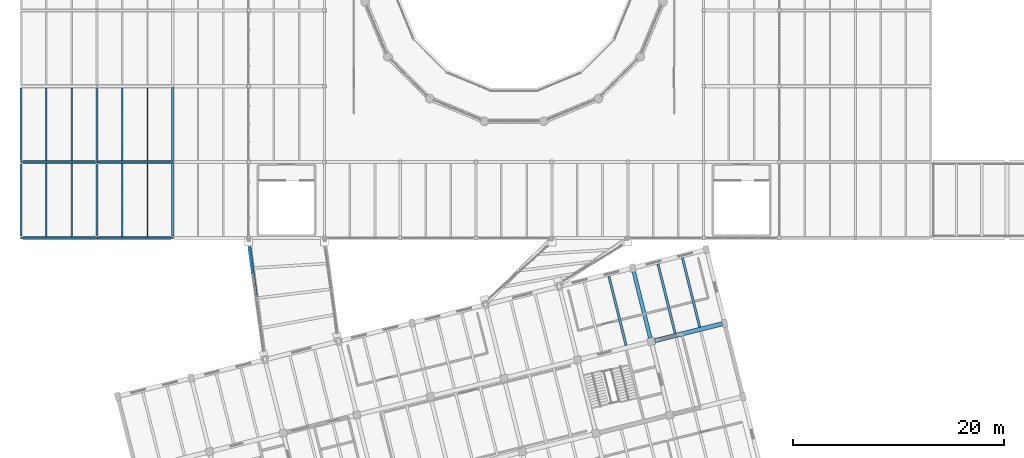
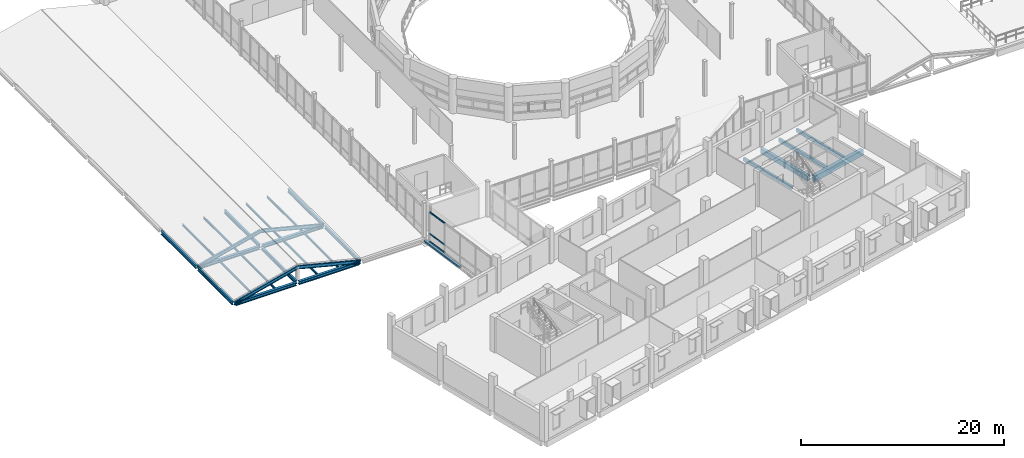
# One storey, part 15 of 63: 23 beams, 8 members, 1 element without a shape of its own.
"""IFC4 building model written with IfcOpenShell, lengths in metres."""

from ifc_helpers import new_model, si_unit, direction, frame, origin, origin_2d, place, context, subcontext, project, spatial, rectangle, hollow_rectangle, i_section, extrude, material, material_profile, profile_set, type_object, element, aggregate, save


model = new_model("IFC4")

# Units and contexts
model_context = context("Model", 3, precision=1e-05, world=origin(), true_north=direction((0.0, 1.0)))
body_context = subcontext(model_context, "Body", "Model", "MODEL_VIEW")
ifc_project = project(units=[si_unit("LENGTHUNIT", "METRE"), si_unit("AREAUNIT", "SQUARE_METRE"), si_unit("VOLUMEUNIT", "CUBIC_METRE"), si_unit("PLANEANGLEUNIT", "RADIAN"), si_unit("MASSUNIT", "GRAM", prefix="KILO")], contexts=[model_context])

# Site, building, storey
site_placement = place(None, origin())
site = spatial("IfcSite", under=ifc_project, at=site_placement, CompositionType="ELEMENT")
building_placement = place(site_placement, origin())
building = spatial("IfcBuilding", under=site, at=building_placement, Name="Qiaolan Assembly House", CompositionType="ELEMENT")
storey_placement = place(building_placement, frame((0.0, 0.0, 14.39990234375)))
storey = spatial("IfcBuildingStorey", under=building, at=storey_placement, Name="L03", CompositionType="ELEMENT", Elevation=14.39990234375)

# Beams
ifc_material_1 = material(Name="Concrete C40/50", Category="concrete")
ifc_material_profile_1 = material_profile(ifc_material_1, rectangle(XDim=0.35009765625, YDim=0.60009765625, at=origin_2d()), Name="RCB 350x600")
ifc_profile_set_1 = profile_set([ifc_material_profile_1], Name="Concrete C40/50")
beam_type_1 = type_object("IfcBeamType", Name="BM-RC-350x600", PredefinedType="BEAM", material=ifc_profile_set_1)
beam_1_placement = place(storey_placement, frame((81.3369140625, 26.4951171875, -0.514892578125), z_axis=(-0.241928153868, 0.970294165893, 0.0), x_axis=(-0.970294165893, -0.241928153868, 0.0)))
element("IfcBeam", 1, at=beam_1_placement, inside=storey, type_object=beam_type_1, Name="GB-08 beam BMV-SE-L03-07-02", PredefinedType="BEAM", context=body_context, shape_type="SweptSolid", body=[
    extrude(rectangle(XDim=0.35009765625, YDim=0.60009765625, at=origin_2d()), origin(), (0.0, 0.0, 1.0), 6.619873046875),
])
ifc_material_profile_2 = material_profile(ifc_material_1, rectangle(XDim=0.419921875, YDim=0.679931640625, at=origin_2d()), Name="RCB 420x680")
ifc_profile_set_2 = profile_set([ifc_material_profile_2], Name="Concrete C40/50")
beam_type_2 = type_object("IfcBeamType", Name="BM-RC-420x680", PredefinedType="BEAM", material=ifc_profile_set_2)
beam_2_placement = place(storey_placement, frame((81.7490234375, 26.247314453125, -0.554931640625), z_axis=(0.970296324294, 0.241919497068, 0.0), x_axis=(-0.241919497068, 0.970296324294, 0.0)))
element("IfcBeam", 2, at=beam_2_placement, inside=storey, type_object=beam_type_2, Name="GB-12 beam BMU-SE-L03-07-02", PredefinedType="BEAM", context=body_context, shape_type="SweptSolid", body=[
    extrude(rectangle(XDim=0.419921875, YDim=0.679931640625, at=origin_2d()), origin(), (0.0, 0.0, 1.0), 6.6201171875),
])
ifc_material_2 = material(Name="Steel Q355B", Category="steel")
ifc_material_profile_3 = material_profile(ifc_material_2, i_section(OverallWidth=0.300048828125, OverallDepth=0.389892578125, WebThickness=0.010009765625, FlangeThickness=0.01611328125, FilletRadius=0.01806640625, at=origin_2d()), Name="HM 390x300x10x16")
ifc_profile_set_3 = profile_set([ifc_material_profile_3], Name="Steel Q355B")
beam_type_3 = type_object("IfcBeamType", Name="BM-STL-HM390", PredefinedType="BEAM", material=ifc_profile_set_3)
for number, where, z_axis, x_axis, name in (
    (3, (21.764892578125, 36.0, -0.494873046875), (1.0, 0.0, 0.0), (0.0, 1.0, 0.0), "SB-08 beam BMX-HLWTR-L03-00-00"),
    (4, (28.93994140625, 36.0, -0.494873046875), (1.0, 0.0, 0.0), (0.0, 1.0, 0.0), "SB-08 beam BMX-HLWTR-L03-01-00"),
    (5, (21.764892578125, 43.199951171875, -0.494873046875), (1.0, 0.0, 0.0), (0.0, 1.0, 0.0), "SB-08 beam BMX-HLWTR-L03-00-01"),
):
    element("IfcBeam", number, at=place(storey_placement, frame(where, z_axis=z_axis, x_axis=x_axis)), inside=storey, type_object=beam_type_3, Name=name, PredefinedType="BEAM", context=body_context, shape_type="SweptSolid", body=[
        extrude(i_section(OverallWidth=0.300048828125, OverallDepth=0.389892578125, WebThickness=0.010009765625, FlangeThickness=0.01611328125, FilletRadius=0.01806640625, at=origin_2d()), origin(), (0.0, 0.0, 1.0), 6.89501953125),
    ])
beam_3_placement = place(storey_placement, frame((28.93994140625, 43.199951171875, -0.494873046875), z_axis=(1.0, 0.0, 0.0), x_axis=(0.0, 1.0, 0.0)))
element("IfcBeam", 6, at=beam_3_placement, inside=storey, type_object=beam_type_3, Name="SB-08 beam BMX-HLWTR-L03-01-01", PredefinedType="BEAM", context=body_context, shape_type="SweptSolid", body=[
    extrude(i_section(OverallWidth=0.300048828125, OverallDepth=0.389892578125, WebThickness=0.010009765625, FlangeThickness=0.01611328125, FilletRadius=0.01806640625, at=origin_2d()), origin(), (0.0, 0.0, 1.0), 6.920166015625),
])
ifc_material_profile_4 = material_profile(ifc_material_2, i_section(OverallWidth=0.199951171875, OverallDepth=0.39990234375, WebThickness=0.008056640625, FlangeThickness=0.012939453125, FilletRadius=0.01611328125, at=origin_2d()), Name="HN 400x200x8x13")
ifc_profile_set_4 = profile_set([ifc_material_profile_4], Name="Steel Q355B")
beam_type_4 = type_object("IfcBeamType", Name="BM-STL-HN400", PredefinedType="BEAM", material=ifc_profile_set_4)
beam_4_placement = place(storey_placement, frame((21.60009765625, 36.1650390625, -0.5), z_axis=(0.0, 1.0, 0.0), x_axis=(-1.0, 0.0, 0.0)))
element("IfcBeam", 7, at=beam_4_placement, inside=storey, type_object=beam_type_4, Name="SB-09 beam BMY-HLWTR-L03-00-00", PredefinedType="BEAM", context=body_context, shape_type="SweptSolid", body=[
    extrude(i_section(OverallWidth=0.199951171875, OverallDepth=0.39990234375, WebThickness=0.008056640625, FlangeThickness=0.012939453125, FilletRadius=0.01611328125, at=origin_2d()), origin(), (0.0, 0.0, 1.0), 6.869873046875),
])
beam_5_placement = place(storey_placement, frame((21.60009765625, 43.364990234375, -0.5), z_axis=(0.0, 1.0, 0.0), x_axis=(-1.0, 0.0, 0.0)))
element("IfcBeam", 8, at=beam_5_placement, inside=storey, type_object=beam_type_4, Name="SB-09 beam BMY-HLWTR-L03-00-01", PredefinedType="BEAM", context=body_context, shape_type="SweptSolid", body=[
    extrude(i_section(OverallWidth=0.199951171875, OverallDepth=0.39990234375, WebThickness=0.008056640625, FlangeThickness=0.012939453125, FilletRadius=0.01611328125, at=origin_2d()), origin(), (0.0, 0.0, 1.0), 6.8701171875),
])
beam_6_placement = place(storey_placement, frame((28.800048828125, 36.139892578125, -0.5), z_axis=(0.0, 1.0, 0.0), x_axis=(-1.0, 0.0, 0.0)))
element("IfcBeam", 9, at=beam_6_placement, inside=storey, type_object=beam_type_4, Name="SB-09 beam BMY-HLWTR-L03-01-00", PredefinedType="BEAM", context=body_context, shape_type="SweptSolid", body=[
    extrude(i_section(OverallWidth=0.199951171875, OverallDepth=0.39990234375, WebThickness=0.008056640625, FlangeThickness=0.012939453125, FilletRadius=0.01611328125, at=origin_2d()), origin(), (0.0, 0.0, 1.0), 6.920166015625),
])
beam_7_placement = place(storey_placement, frame((28.800048828125, 43.340087890625, -0.5), z_axis=(0.0, 1.0, 0.0), x_axis=(-1.0, 0.0, 0.0)))
element("IfcBeam", 10, at=beam_7_placement, inside=storey, type_object=beam_type_4, Name="SB-09 beam BMY-HLWTR-L03-01-01", PredefinedType="BEAM", context=body_context, shape_type="SweptSolid", body=[
    extrude(i_section(OverallWidth=0.199951171875, OverallDepth=0.39990234375, WebThickness=0.008056640625, FlangeThickness=0.012939453125, FilletRadius=0.01611328125, at=origin_2d()), origin(), (0.0, 0.0, 1.0), 6.919921875),
])
beam_8_placement = place(storey_placement, frame((36.0, 36.1650390625, -0.5), z_axis=(0.0, 1.0, 0.0), x_axis=(-1.0, 0.0, 0.0)))
element("IfcBeam", 11, at=beam_8_placement, inside=storey, type_object=beam_type_4, Name="SB-09 beam BMY-HLWTR-L03-02-00", PredefinedType="BEAM", context=body_context, shape_type="SweptSolid", body=[
    extrude(i_section(OverallWidth=0.199951171875, OverallDepth=0.39990234375, WebThickness=0.008056640625, FlangeThickness=0.012939453125, FilletRadius=0.01611328125, at=origin_2d()), origin(), (0.0, 0.0, 1.0), 6.89501953125),
])
beam_9_placement = place(storey_placement, frame((36.0, 43.340087890625, -0.5), z_axis=(0.0, 1.0, 0.0), x_axis=(-1.0, 0.0, 0.0)))
element("IfcBeam", 12, at=beam_9_placement, inside=storey, type_object=beam_type_4, Name="SB-09 beam BMY-HLWTR-L03-02-01", PredefinedType="BEAM", context=body_context, shape_type="SweptSolid", body=[
    extrude(i_section(OverallWidth=0.199951171875, OverallDepth=0.39990234375, WebThickness=0.008056640625, FlangeThickness=0.012939453125, FilletRadius=0.01611328125, at=origin_2d()), origin(), (0.0, 0.0, 1.0), 6.919921875),
])

# Curtain wall, members
ifc_material_3 = material(Name="Anodised bronze aluminium", Category="aluminium")
curtain_wall_type = type_object("IfcCurtainWallType", Name="CW-BRIDGE-420", PredefinedType="NOTDEFINED", material=ifc_material_3)
curtain_wall_placement = place(storey_placement, origin())
curtain_wall = element("IfcCurtainWall", 13, at=curtain_wall_placement, inside=storey, type_object=curtain_wall_type, Name="CW-03 Glazed Skybridge Curtain Wall WB L03 W", PredefinedType="NOTDEFINED")
ifc_material_profile_5 = material_profile(ifc_material_3, rectangle(XDim=0.068115234375, YDim=0.139892578125, at=origin_2d()), Name="TRN 68x140")
ifc_profile_set_5 = profile_set([ifc_material_profile_5], Name="Anodised bronze aluminium")
member_type_1 = type_object("IfcMemberType", Name="CW-BRIDGE-420-TRN", PredefinedType="USERDEFINED", material=ifc_profile_set_5)
member_1_placement = place(storey_placement, frame((43.603515625, 32.637451171875, 0.030029296875), z_axis=(-0.134940765232, 0.990853667238, 0.0), x_axis=(-0.990853667238, -0.134940765232, 0.0)))
member_1 = element("IfcMember", 14, at=member_1_placement, type_object=member_type_1, Name="TR-04 transom CW-BRIDGE-WB-L03-W-4-1", ObjectType="TRANSOM", PredefinedType="USERDEFINED", context=body_context, shape_type="SweptSolid", body=[
    extrude(rectangle(XDim=0.068115234375, YDim=0.139892578125, at=origin_2d()), origin(), (0.0, 0.0, 1.0), 2.40087890625),
])
member_2_placement = place(storey_placement, frame((43.603515625, 32.637451171875, 0.9501953125), z_axis=(-0.134940765232, 0.990853667238, 0.0), x_axis=(-0.990853667238, -0.134940765232, 0.0)))
member_2 = element("IfcMember", 15, at=member_2_placement, type_object=member_type_1, Name="TR-04 transom CW-BRIDGE-WB-L03-W-4-2", ObjectType="TRANSOM", PredefinedType="USERDEFINED", context=body_context, shape_type="SweptSolid", body=[
    extrude(rectangle(XDim=0.068115234375, YDim=0.139892578125, at=origin_2d()), origin(), (0.0, 0.0, 1.0), 2.40087890625),
])
member_3_placement = place(storey_placement, frame((43.603515625, 32.637451171875, 3.52001953125), z_axis=(-0.134940765232, 0.990853667238, 0.0), x_axis=(-0.990853667238, -0.134940765232, 0.0)))
member_3 = element("IfcMember", 16, at=member_3_placement, type_object=member_type_1, Name="TR-04 transom CW-BRIDGE-WB-L03-W-4-3", ObjectType="TRANSOM", PredefinedType="USERDEFINED", context=body_context, shape_type="SweptSolid", body=[
    extrude(rectangle(XDim=0.068115234375, YDim=0.139892578125, at=origin_2d()), origin(), (0.0, 0.0, 1.0), 2.40087890625),
])
aggregate(curtain_wall, [member_1, member_2, member_3])

# Beams
ifc_material_profile_6 = material_profile(ifc_material_1, rectangle(XDim=0.219970703125, YDim=0.419921875, at=origin_2d()), Name="RCB 220x420")
ifc_profile_set_6 = profile_set([ifc_material_profile_6], Name="Concrete C40/50")
beam_type_5 = type_object("IfcBeamType", Name="JST-RC-220x420", PredefinedType="JOIST", material=ifc_profile_set_6)
beam_10_placement = place(storey_placement, frame((79.041259765625, 25.782470703125, -0.4248046875), z_axis=(-0.241943550075, 0.970290326952, 0.0), x_axis=(-0.970290326952, -0.241943550075, 0.0)))
element("IfcBeam", 17, at=beam_10_placement, inside=storey, type_object=beam_type_5, Name="RJ-03 beam JST-SE-L03-06-02-2", PredefinedType="JOIST", context=body_context, shape_type="SweptSolid", body=[
    extrude(rectangle(XDim=0.219970703125, YDim=0.419921875, at=origin_2d()), origin(), (0.0, 0.0, 1.0), 6.792236328125),
])
for number, where, z_axis, x_axis, name in (
    (18, (83.698486328125, 26.943603515625, -0.4248046875), (-0.241909709048, 0.970298764643, 0.0), (-0.970298764643, -0.241909709048, 0.0), "RJ-03 beam JST-SE-L03-07-02-1"),
    (19, (86.02734375, 27.524169921875, -0.4248046875), (-0.241909709048, 0.970298764643, 0.0), (-0.970298764643, -0.241909709048, 0.0), "RJ-03 beam JST-SE-L03-07-02-2"),
):
    element("IfcBeam", number, at=place(storey_placement, frame(where, z_axis=z_axis, x_axis=x_axis)), inside=storey, type_object=beam_type_5, Name=name, PredefinedType="JOIST", context=body_context, shape_type="SweptSolid", body=[
        extrude(rectangle(XDim=0.219970703125, YDim=0.419921875, at=origin_2d()), origin(), (0.0, 0.0, 1.0), 6.7919921875),
    ])
ifc_material_profile_7 = material_profile(ifc_material_2, i_section(OverallWidth=0.125, OverallDepth=0.25, WebThickness=0.006103515625, FlangeThickness=0.009033203125, FilletRadius=0.011962890625, at=origin_2d()), Name="HN 250x125x6x9")
ifc_profile_set_7 = profile_set([ifc_material_profile_7], Name="Steel Q355B")
beam_type_6 = type_object("IfcBeamType", Name="JST-STL-HN250", PredefinedType="JOIST", material=ifc_profile_set_7)
for number, where, z_axis, x_axis, name in (
    (20, (24.0, 36.14404296875, -0.4248046875), (0.0, 1.0, 0.0), (-1.0, 0.0, 0.0), "SJ-03 beam JST-HLWTR-L03-00-00-1"),
    (21, (26.39990234375, 36.14404296875, -0.4248046875), (0.0, 1.0, 0.0), (-1.0, 0.0, 0.0), "SJ-03 beam JST-HLWTR-L03-00-00-2"),
):
    element("IfcBeam", number, at=place(storey_placement, frame(where, z_axis=z_axis, x_axis=x_axis)), inside=storey, type_object=beam_type_6, Name=name, PredefinedType="JOIST", context=body_context, shape_type="SweptSolid", body=[
        extrude(i_section(OverallWidth=0.125, OverallDepth=0.25, WebThickness=0.006103515625, FlangeThickness=0.009033203125, FilletRadius=0.011962890625, at=origin_2d()), origin(), (0.0, 0.0, 1.0), 6.911865234375),
    ])
for number, where, z_axis, x_axis, name in (
    (22, (24.0, 43.343994140625, -0.4248046875), (0.0, 1.0, 0.0), (-1.0, 0.0, 0.0), "SJ-03 beam JST-HLWTR-L03-00-01-1"),
    (23, (26.39990234375, 43.343994140625, -0.4248046875), (0.0, 1.0, 0.0), (-1.0, 0.0, 0.0), "SJ-03 beam JST-HLWTR-L03-00-01-2"),
):
    element("IfcBeam", number, at=place(storey_placement, frame(where, z_axis=z_axis, x_axis=x_axis)), inside=storey, type_object=beam_type_6, Name=name, PredefinedType="JOIST", context=body_context, shape_type="SweptSolid", body=[
        extrude(i_section(OverallWidth=0.125, OverallDepth=0.25, WebThickness=0.006103515625, FlangeThickness=0.009033203125, FilletRadius=0.011962890625, at=origin_2d()), origin(), (0.0, 0.0, 1.0), 6.912109375),
    ])
for number, where, z_axis, x_axis, name in (
    (24, (31.199951171875, 36.14404296875, -0.4248046875), (0.0, 1.0, 0.0), (-1.0, 0.0, 0.0), "SJ-03 beam JST-HLWTR-L03-01-00-1"),
    (25, (33.60009765625, 36.14404296875, -0.4248046875), (0.0, 1.0, 0.0), (-1.0, 0.0, 0.0), "SJ-03 beam JST-HLWTR-L03-01-00-2"),
):
    element("IfcBeam", number, at=place(storey_placement, frame(where, z_axis=z_axis, x_axis=x_axis)), inside=storey, type_object=beam_type_6, Name=name, PredefinedType="JOIST", context=body_context, shape_type="SweptSolid", body=[
        extrude(i_section(OverallWidth=0.125, OverallDepth=0.25, WebThickness=0.006103515625, FlangeThickness=0.009033203125, FilletRadius=0.011962890625, at=origin_2d()), origin(), (0.0, 0.0, 1.0), 6.911865234375),
    ])
for number, where, z_axis, x_axis, name in (
    (26, (31.199951171875, 43.343994140625, -0.4248046875), (0.0, 1.0, 0.0), (-1.0, 0.0, 0.0), "SJ-03 beam JST-HLWTR-L03-01-01-1"),
    (27, (33.60009765625, 43.343994140625, -0.4248046875), (0.0, 1.0, 0.0), (-1.0, 0.0, 0.0), "SJ-03 beam JST-HLWTR-L03-01-01-2"),
):
    element("IfcBeam", number, at=place(storey_placement, frame(where, z_axis=z_axis, x_axis=x_axis)), inside=storey, type_object=beam_type_6, Name=name, PredefinedType="JOIST", context=body_context, shape_type="SweptSolid", body=[
        extrude(i_section(OverallWidth=0.125, OverallDepth=0.25, WebThickness=0.006103515625, FlangeThickness=0.009033203125, FilletRadius=0.011962890625, at=origin_2d()), origin(), (0.0, 0.0, 1.0), 6.912109375),
    ])

# Members
ifc_material_profile_8 = material_profile(ifc_material_2, hollow_rectangle(XDim=0.25, YDim=0.25, WallThickness=0.010009765625, InnerFilletRadius=0.010009765625, OuterFilletRadius=0.02001953125, at=origin_2d()), Name="SHS 250x250x10")
ifc_profile_set_8 = profile_set([ifc_material_profile_8], Name="Steel Q355B")
member_type_2 = type_object("IfcMemberType", Name="MBR-BRACE-BRIDGE-SHS250", PredefinedType="BRACE", material=ifc_profile_set_8)
member_4_placement = place(storey_placement, frame((43.968017578125, 30.2099609375, -0.364990234375), z_axis=(-0.131473621264, 0.991319669386, 0.0), x_axis=(-0.991319669386, -0.131473621264, 0.0)))
element("IfcMember", 28, at=member_4_placement, inside=storey, type_object=member_type_2, Name="BR-03 skybridge brace WB L03", PredefinedType="BRACE", context=body_context, shape_type="SweptSolid", body=[
    extrude(hollow_rectangle(XDim=0.25, YDim=0.25, WallThickness=0.010009765625, InnerFilletRadius=0.010009765625, OuterFilletRadius=0.02001953125, at=origin_2d()), origin(), (0.0, 0.0, 1.0), 5.700927734375),
])
ifc_material_profile_9 = material_profile(ifc_material_2, i_section(OverallWidth=0.199951171875, OverallDepth=0.39990234375, WebThickness=0.008056640625, FlangeThickness=0.012939453125, FilletRadius=0.01611328125, at=origin_2d()), Name="HN 400x200x8x13-RF")
ifc_profile_set_9 = profile_set([ifc_material_profile_9], Name="Steel Q355B")
member_type_3 = type_object("IfcMemberType", Name="MBR-HALL-RAFTER-HN400", PredefinedType="RAFTER", material=ifc_profile_set_9)
for number, where, z_axis, x_axis, name in (
    (29, (21.60009765625, 36.0, -0.4296875), (0.968693848933, 0.0, 0.248258387652), (0.0, 1.0, 0.0), "RF-02 hall skylight rafter WW-36"),
    (30, (28.800048828125, 36.0, 1.41552734375), (0.968693848933, 0.0, -0.248258387652), (0.0, 1.0, 0.0), "RF-02 hall skylight rafter WE-36"),
    (31, (21.60009765625, 43.199951171875, -0.4296875), (0.968693848933, 0.0, 0.248258387652), (0.0, 1.0, 0.0), "RF-02 hall skylight rafter WW-43"),
    (32, (28.800048828125, 43.199951171875, 1.41552734375), (0.968693848933, 0.0, -0.248258387652), (0.0, 1.0, 0.0), "RF-02 hall skylight rafter WE-43"),
):
    element("IfcMember", number, at=place(storey_placement, frame(where, z_axis=z_axis, x_axis=x_axis)), inside=storey, type_object=member_type_3, Name=name, PredefinedType="RAFTER", context=body_context, shape_type="SweptSolid", body=[
        extrude(i_section(OverallWidth=0.199951171875, OverallDepth=0.39990234375, WebThickness=0.008056640625, FlangeThickness=0.012939453125, FilletRadius=0.01611328125, at=origin_2d()), origin(), (0.0, 0.0, 1.0), 7.4326171875),
    ])

save(model, "model.ifc")
